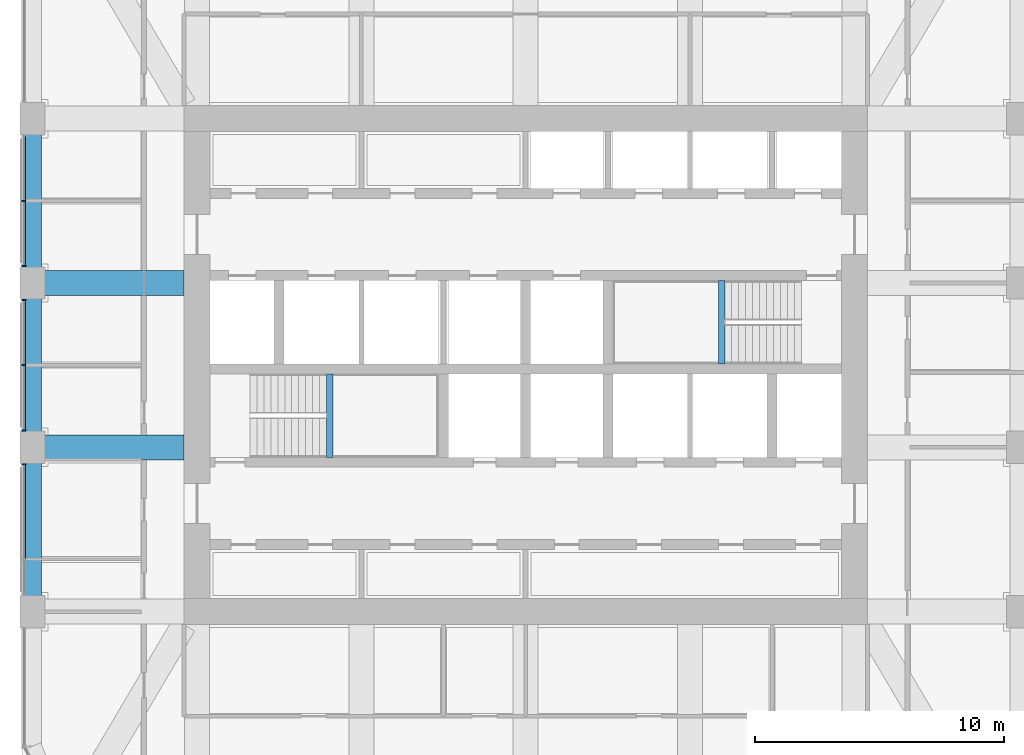
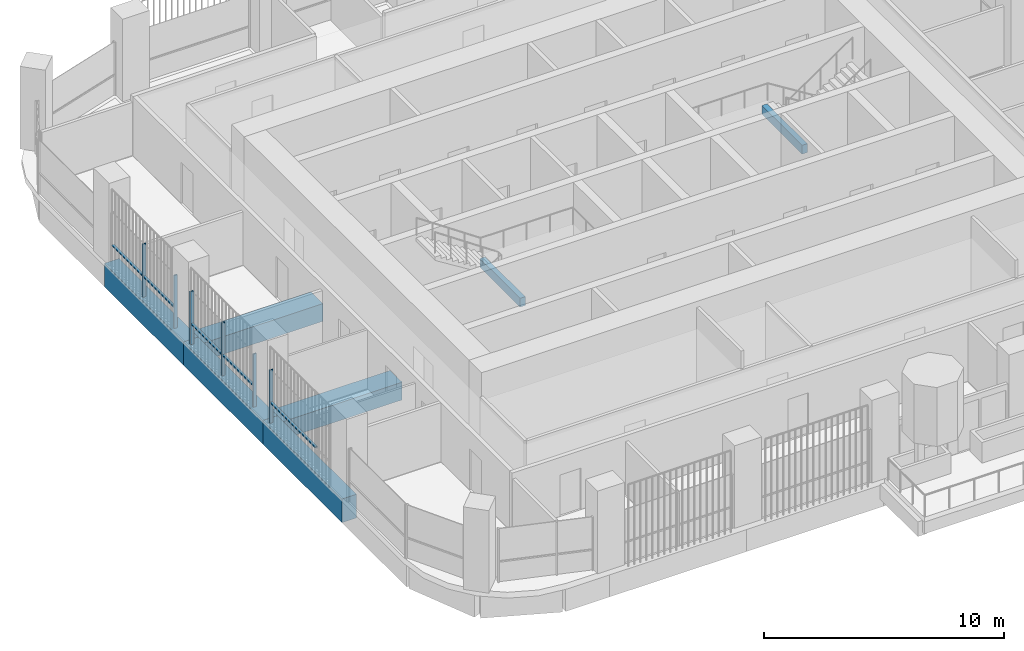
# One storey, part 4 of 20: 11 members, 7 beams, 3 elements without a shape of their own.
"""IFC4 building model written with IfcOpenShell, lengths in metres."""

from ifc_helpers import new_model, si_unit, direction, frame, origin, origin_2d, place, context, subcontext, project, spatial, rectangle, extrude, material, material_profile, profile_set, type_object, element, aggregate, save


model = new_model("IFC4")

# Units and contexts
model_context = context("Model", 3, precision=1e-05, world=origin(), true_north=direction((0.0, 1.0)))
body_context = subcontext(model_context, "Body", "Model", "MODEL_VIEW")
ifc_project = project(units=[si_unit("LENGTHUNIT", "METRE"), si_unit("AREAUNIT", "SQUARE_METRE"), si_unit("VOLUMEUNIT", "CUBIC_METRE"), si_unit("PLANEANGLEUNIT", "RADIAN"), si_unit("MASSUNIT", "GRAM", prefix="KILO")], contexts=[model_context])

# Site, building, storey
site_placement = place(None, origin())
site = spatial("IfcSite", under=ifc_project, at=site_placement, CompositionType="ELEMENT")
building_placement = place(site_placement, origin())
building = spatial("IfcBuilding", under=site, at=building_placement, Name="Cobogo Forest Laboratory Tower", CompositionType="ELEMENT")
storey_placement = place(building_placement, frame((0.0, 0.0, 233.39990234375)))
storey = spatial("IfcBuildingStorey", under=building, at=storey_placement, Name="L53", CompositionType="ELEMENT", Elevation=233.39990234375)

# Beams
ifc_material_1 = material(Name="Concrete HA-40 (C40/50)", Category="concrete")
ifc_material_profile_1 = material_profile(ifc_material_1, rectangle(XDim=0.25, YDim=0.449951171875, at=origin_2d()), Name="RC 250x450")
ifc_profile_set_1 = profile_set([ifc_material_profile_1], Name="Concrete HA-40 (C40/50)")
beam_type_1 = type_object("IfcBeamType", Name="LB1 landing beam 250x450", PredefinedType="BEAM", material=ifc_profile_set_1)
for number, where, z_axis, x_axis, name in (
    (1, (18.530029296875, 19.39990234375, 1.675048828125), (0.0, 1.0, 0.0), (-1.0, 0.0, 0.0), "Landing beam ST1 L53"),
    (2, (34.27001953125, 23.14990234375, 1.675048828125), (0.0, 1.0, 0.0), (-1.0, 0.0, 0.0), "Landing beam ST2 L53"),
):
    element("IfcBeam", number, at=place(storey_placement, frame(where, z_axis=z_axis, x_axis=x_axis)), inside=storey, type_object=beam_type_1, Name=name, PredefinedType="BEAM", context=body_context, shape_type="SweptSolid", body=[
        extrude(rectangle(XDim=0.25, YDim=0.449951171875, at=origin_2d()), origin(), (0.0, 0.0, 1.0), 3.35009765625),
    ])

# Curtain wall, members
ifc_material_2 = material(Name="Aluminium curtain wall", Category="aluminium")
curtain_wall_type = type_object("IfcCurtainWallType", Name="CW-2 unitised curtain wall, solar control glazing, laboratory floors zones C and D", PredefinedType="USERDEFINED", material=ifc_material_2)
curtain_wall_1_placement = place(storey_placement, origin())
curtain_wall_1 = element("IfcCurtainWall", 3, at=curtain_wall_1_placement, inside=storey, type_object=curtain_wall_type, Name="Curtain wall 21 L53", ObjectType="UNITISED CURTAIN WALL", PredefinedType="USERDEFINED")
ifc_material_3 = material(Name="Aluminium mullion", Category="aluminium")
ifc_material_profile_2 = material_profile(ifc_material_3, rectangle(XDim=0.06005859375, YDim=0.159912109375, at=origin_2d()), Name="AL 60x160")
ifc_profile_set_2 = profile_set([ifc_material_profile_2], Name="Aluminium mullion")
member_type_1 = type_object("IfcMemberType", Name="MU-1 aluminium mullion 60x160", PredefinedType="MULLION", material=ifc_profile_set_2)
member_1_placement = place(storey_placement, frame((6.25, 29.699951171875, 0.0), z_axis=(0.0, 0.0, 1.0), x_axis=(0.0, -1.0, 0.0)))
member_1 = element("IfcMember", 4, at=member_1_placement, type_object=member_type_1, Name="CW-2 mullion 2", PredefinedType="MULLION", context=body_context, shape_type="SweptSolid", body=[
    extrude(rectangle(XDim=0.06005859375, YDim=0.159912109375, at=origin_2d()), origin(), (0.0, 0.0, 1.0), 2.7001953125),
])
member_2_placement = place(storey_placement, frame((6.25, 27.080078125, 0.0), z_axis=(0.0, 0.0, 1.0), x_axis=(0.0, -1.0, 0.0)))
member_2 = element("IfcMember", 5, at=member_2_placement, type_object=member_type_1, Name="CW-2 mullion 3", PredefinedType="MULLION", context=body_context, shape_type="SweptSolid", body=[
    extrude(rectangle(XDim=0.06005859375, YDim=0.159912109375, at=origin_2d()), origin(), (0.0, 0.0, 1.0), 2.7001953125),
])

curtain_wall_2_placement = place(storey_placement, origin())
curtain_wall_2 = element("IfcCurtainWall", 6, at=curtain_wall_2_placement, inside=storey, type_object=curtain_wall_type, Name="Curtain wall 22 L53", ObjectType="UNITISED CURTAIN WALL", PredefinedType="USERDEFINED")
member_3_placement = place(storey_placement, frame((6.25, 25.719970703125, 0.0), z_axis=(0.0, 0.0, 1.0), x_axis=(0.0, -1.0, 0.0)))
member_3 = element("IfcMember", 7, at=member_3_placement, type_object=member_type_1, Name="CW-2 mullion 1", PredefinedType="MULLION", context=body_context, shape_type="SweptSolid", body=[
    extrude(rectangle(XDim=0.06005859375, YDim=0.159912109375, at=origin_2d()), origin(), (0.0, 0.0, 1.0), 2.7001953125),
])
member_4_placement = place(storey_placement, frame((6.25, 23.10009765625, 0.0), z_axis=(0.0, 0.0, 1.0), x_axis=(0.0, -1.0, 0.0)))
member_4 = element("IfcMember", 8, at=member_4_placement, type_object=member_type_1, Name="CW-2 mullion 2", PredefinedType="MULLION", context=body_context, shape_type="SweptSolid", body=[
    extrude(rectangle(XDim=0.06005859375, YDim=0.159912109375, at=origin_2d()), origin(), (0.0, 0.0, 1.0), 2.7001953125),
])
member_5_placement = place(storey_placement, frame((6.25, 20.47998046875, 0.0), z_axis=(0.0, 0.0, 1.0), x_axis=(0.0, -1.0, 0.0)))
member_5 = element("IfcMember", 9, at=member_5_placement, type_object=member_type_1, Name="CW-2 mullion 3", PredefinedType="MULLION", context=body_context, shape_type="SweptSolid", body=[
    extrude(rectangle(XDim=0.06005859375, YDim=0.159912109375, at=origin_2d()), origin(), (0.0, 0.0, 1.0), 2.7001953125),
])

# Curtain wall, member
curtain_wall_3_placement = place(storey_placement, origin())
curtain_wall_3 = element("IfcCurtainWall", 10, at=curtain_wall_3_placement, inside=storey, type_object=curtain_wall_type, Name="Curtain wall 23 L53", ObjectType="UNITISED CURTAIN WALL", PredefinedType="USERDEFINED")
member_6_placement = place(storey_placement, frame((6.25, 19.1201171875, 0.0), z_axis=(0.0, 0.0, 1.0), x_axis=(0.0, -1.0, 0.0)))
member_6 = element("IfcMember", 11, at=member_6_placement, type_object=member_type_1, Name="CW-2 mullion 1", PredefinedType="MULLION", context=body_context, shape_type="SweptSolid", body=[
    extrude(rectangle(XDim=0.06005859375, YDim=0.159912109375, at=origin_2d()), origin(), (0.0, 0.0, 1.0), 2.7001953125),
])

# Beams
ifc_material_profile_3 = material_profile(ifc_material_1, rectangle(XDim=1.0, YDim=0.89990234375, at=origin_2d()), Name="RC 1000x900")
ifc_profile_set_3 = profile_set([ifc_material_profile_3], Name="Concrete HA-40 (C40/50)")
beam_type_2 = type_object("IfcBeamType", Name="Office floor wide beam 1000x900", PredefinedType="BEAM", material=ifc_profile_set_3)
for number, where, z_axis, x_axis, name in (
    (12, (12.675048828125, 19.800048828125, -0.75), (-1.0, 0.0, 0.0), (0.0, -1.0, 0.0), "RB2 R-D-W L53"),
    (13, (12.675048828125, 26.39990234375, -0.75), (-1.0, 0.0, 0.0), (0.0, -1.0, 0.0), "RB2 R-E-W L53"),
):
    element("IfcBeam", number, at=place(storey_placement, frame(where, z_axis=z_axis, x_axis=x_axis)), inside=storey, type_object=beam_type_2, Name=name, PredefinedType="BEAM", context=body_context, shape_type="SweptSolid", body=[
        extrude(rectangle(XDim=1.0, YDim=0.89990234375, at=origin_2d()), origin(), (0.0, 0.0, 1.0), 6.074951171875),
    ])
ifc_material_profile_4 = material_profile(ifc_material_1, rectangle(XDim=0.699951171875, YDim=1.199951171875, at=origin_2d()), Name="RC 700x1200")
ifc_profile_set_4 = profile_set([ifc_material_profile_4], Name="Concrete HA-40 (C40/50)")
beam_type_3 = type_object("IfcBeamType", Name="Perimeter edge beam 700x1200", PredefinedType="BEAM", material=ifc_profile_set_4)
beam_1_placement = place(storey_placement, frame((6.60009765625, 13.199951171875, -0.89990234375), z_axis=(0.0, 1.0, 0.0), x_axis=(-1.0, 0.0, 0.0)))
element("IfcBeam", 14, at=beam_1_placement, inside=storey, type_object=beam_type_3, Name="EB1 E-W1 L53", PredefinedType="BEAM", context=body_context, shape_type="SweptSolid", body=[
    extrude(rectangle(XDim=0.699951171875, YDim=1.199951171875, at=origin_2d()), origin(), (0.0, 0.0, 1.0), 6.60009765625),
])
beam_2_placement = place(storey_placement, frame((6.60009765625, 19.800048828125, -0.89990234375), z_axis=(0.0, 1.0, 0.0), x_axis=(-1.0, 0.0, 0.0)))
element("IfcBeam", 15, at=beam_2_placement, inside=storey, type_object=beam_type_3, Name="EB1 E-W2 L53", PredefinedType="BEAM", context=body_context, shape_type="SweptSolid", body=[
    extrude(rectangle(XDim=0.699951171875, YDim=1.199951171875, at=origin_2d()), origin(), (0.0, 0.0, 1.0), 6.599853515625),
])
beam_3_placement = place(storey_placement, frame((6.60009765625, 26.39990234375, -0.89990234375), z_axis=(0.0, 1.0, 0.0), x_axis=(-1.0, 0.0, 0.0)))
element("IfcBeam", 16, at=beam_3_placement, inside=storey, type_object=beam_type_3, Name="EB1 E-W3 L53", PredefinedType="BEAM", context=body_context, shape_type="SweptSolid", body=[
    extrude(rectangle(XDim=0.699951171875, YDim=1.199951171875, at=origin_2d()), origin(), (0.0, 0.0, 1.0), 6.60009765625),
])

# Member
ifc_material_4 = material(Name="Aluminium transom", Category="aluminium")
ifc_material_profile_5 = material_profile(ifc_material_4, rectangle(XDim=0.1201171875, YDim=0.06005859375, at=origin_2d()), Name="AL 60x120")
ifc_profile_set_5 = profile_set([ifc_material_profile_5], Name="Aluminium transom")
member_type_2 = type_object("IfcMemberType", Name="TR-1 aluminium transom 60x120", PredefinedType="USERDEFINED", material=ifc_profile_set_5)
member_7_placement = place(storey_placement, frame((6.25, 32.2900390625, 1.050048828125), z_axis=(0.0, -1.0, 0.0), x_axis=(1.0, 0.0, 0.0)))
member_7 = element("IfcMember", 17, at=member_7_placement, type_object=member_type_2, Name="CW-2 transom 1.1", ObjectType="TRANSOM", PredefinedType="USERDEFINED", context=body_context, shape_type="SweptSolid", body=[
    extrude(rectangle(XDim=0.1201171875, YDim=0.06005859375, at=origin_2d()), origin(), (0.0, 0.0, 1.0), 2.56005859375),
])

member_8_placement = place(storey_placement, frame((6.25, 29.669921875, 1.050048828125), z_axis=(0.0, -1.0, 0.0), x_axis=(1.0, 0.0, 0.0)))
member_8 = element("IfcMember", 18, at=member_8_placement, type_object=member_type_2, Name="CW-2 transom 2.1", ObjectType="TRANSOM", PredefinedType="USERDEFINED", context=body_context, shape_type="SweptSolid", body=[
    extrude(rectangle(XDim=0.1201171875, YDim=0.06005859375, at=origin_2d()), origin(), (0.0, 0.0, 1.0), 2.559814453125),
])

aggregate(curtain_wall_1, [member_1, member_2, member_7, member_8])

member_9_placement = place(storey_placement, frame((6.25, 25.68994140625, 1.050048828125), z_axis=(0.0, -1.0, 0.0), x_axis=(1.0, 0.0, 0.0)))
member_9 = element("IfcMember", 19, at=member_9_placement, type_object=member_type_2, Name="CW-2 transom 1.1", ObjectType="TRANSOM", PredefinedType="USERDEFINED", context=body_context, shape_type="SweptSolid", body=[
    extrude(rectangle(XDim=0.1201171875, YDim=0.06005859375, at=origin_2d()), origin(), (0.0, 0.0, 1.0), 2.56005859375),
])

member_10_placement = place(storey_placement, frame((6.25, 23.070068359375, 1.050048828125), z_axis=(0.0, -1.0, 0.0), x_axis=(1.0, 0.0, 0.0)))
member_10 = element("IfcMember", 20, at=member_10_placement, type_object=member_type_2, Name="CW-2 transom 2.1", ObjectType="TRANSOM", PredefinedType="USERDEFINED", context=body_context, shape_type="SweptSolid", body=[
    extrude(rectangle(XDim=0.1201171875, YDim=0.06005859375, at=origin_2d()), origin(), (0.0, 0.0, 1.0), 2.56005859375),
])

aggregate(curtain_wall_2, [member_3, member_4, member_5, member_9, member_10])

member_11_placement = place(storey_placement, frame((6.25, 19.090087890625, 1.050048828125), z_axis=(0.0, -1.0, 0.0), x_axis=(1.0, 0.0, 0.0)))
member_11 = element("IfcMember", 21, at=member_11_placement, type_object=member_type_2, Name="CW-2 transom 1.1", ObjectType="TRANSOM", PredefinedType="USERDEFINED", context=body_context, shape_type="SweptSolid", body=[
    extrude(rectangle(XDim=0.1201171875, YDim=0.06005859375, at=origin_2d()), origin(), (0.0, 0.0, 1.0), 3.760009765625),
])

aggregate(curtain_wall_3, [member_6, member_11])

save(model, "model.ifc")
